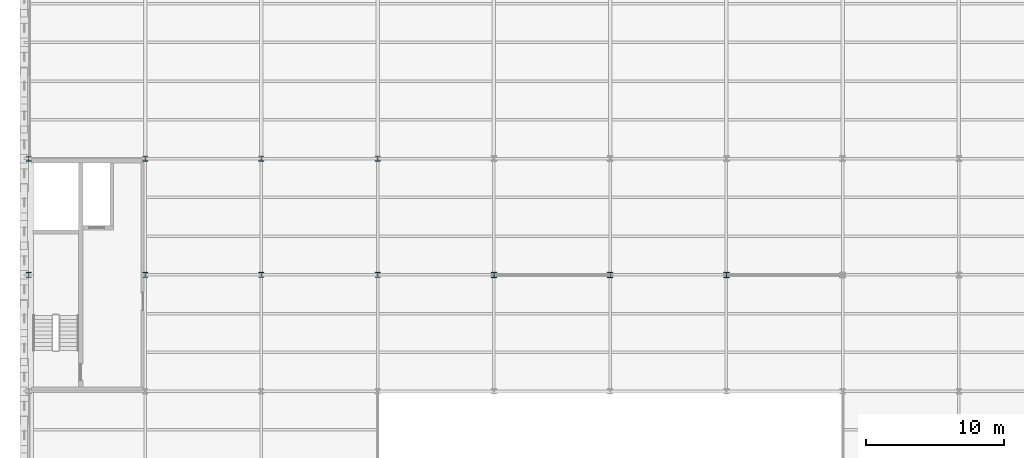
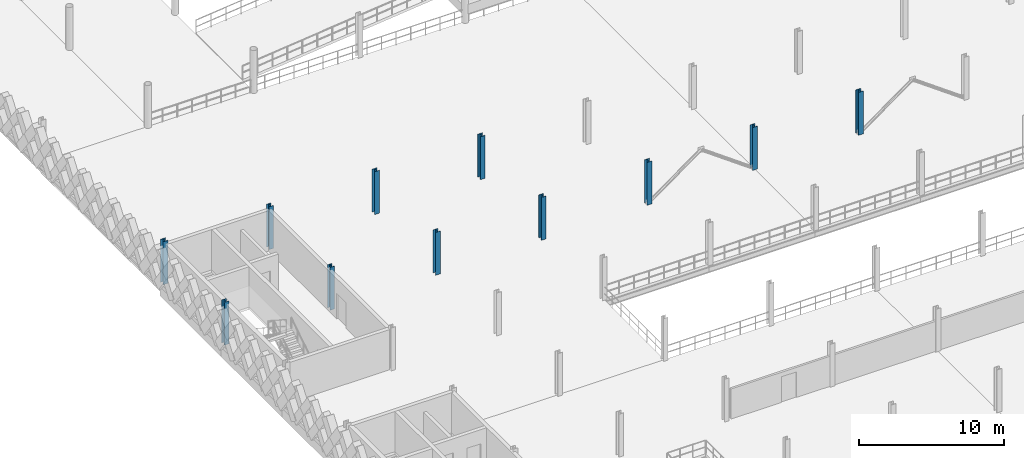
# One storey, part 9 of 101: 11 columns.
"""IFC4 building model written with IfcOpenShell, lengths in metres."""

import ifcopenshell
import ifcopenshell.guid

model = None  # the IFC model being written
_history = None  # IfcOwnerHistory: only IFC2X3 demands one
_inside = {}  # id of a spatial element -> (the spatial element, [elements in it])
_under = {}  # id of a project, library or spatial element -> (it, [spatial elements below it])
_declared = {}  # id of a project -> (the project, [libraries it declares])
_typed = {}  # id of a type object -> (the type object, [elements of that type])
_made_of = {}  # id of a material, layer set ... -> (it, [elements and type objects made of it])


def new_model(schema):
    """Start an empty IFC model of exactly this schema.

    Asked for "IFC4X3", IfcOpenShell would pick the latest addendum, in which some entities
    have other attributes; the version numbers below select the first issue.
    IFC2X3 requires an IfcOwnerHistory on every rooted entity: one is made here for all.
    """
    global model, _history
    if schema == "IFC4X3":
        model = ifcopenshell.file(schema_version=(4, 3, 0, 0))
    else:
        model = ifcopenshell.file(schema=schema)
    _inside.clear()
    _under.clear()
    _declared.clear()
    _typed.clear()
    _made_of.clear()
    _history = None
    if model.schema == "IFC2X3":
        org = make("IfcOrganization", Name="unknown")
        user = make(
            "IfcPersonAndOrganization",
            ThePerson=make("IfcPerson", FamilyName="unknown"),
            TheOrganization=org,
        )
        app = make(
            "IfcApplication",
            ApplicationDeveloper=org,
            Version="unknown",
            ApplicationFullName="unknown",
            ApplicationIdentifier="unknown",
        )
        _history = make(
            "IfcOwnerHistory",
            OwningUser=user,
            OwningApplication=app,
            ChangeAction="ADDED",
            CreationDate=0,
        )
    return model


def make(cls, **values):
    """One entity of the class cls with the attributes given. An attribute that is None is left unset."""
    return model.create_entity(
        cls, **{name: value for name, value in values.items() if value is not None}
    )


def rooted(cls, **values):
    """An entity with a GlobalId (a new one), such as an element, a storey or a relation."""
    return make(cls, GlobalId=ifcopenshell.guid.new(), OwnerHistory=_history, **values)


def si_unit(unit_type, name, prefix=None):
    """IfcSIUnit, for example si_unit("LENGTHUNIT", "METRE", prefix="MILLI")."""
    return make("IfcSIUnit", UnitType=unit_type, Prefix=prefix, Name=name)


def assignment(units):
    """IfcUnitAssignment: the units of a project."""
    return None if units is None else make("IfcUnitAssignment", Units=units)


def point(xyz):
    """IfcCartesianPoint."""
    return None if xyz is None else make("IfcCartesianPoint", Coordinates=xyz)


def direction(xyz):
    """IfcDirection."""
    return None if xyz is None else make("IfcDirection", DirectionRatios=xyz)


def frame(location, z_axis=None, x_axis=None):
    """IfcAxis2Placement3D, a coordinate frame: its origin and axes. An axis left out is left unset."""
    return make(
        "IfcAxis2Placement3D",
        Location=point(location),
        Axis=direction(z_axis),
        RefDirection=direction(x_axis),
    )


def frame_2d(location, x_axis=None):
    """IfcAxis2Placement2D, a coordinate frame in the plane: its origin and x axis."""
    return make(
        "IfcAxis2Placement2D", Location=point(location), RefDirection=direction(x_axis)
    )


def origin():
    """The frame at (0, 0, 0) with its axes left unset."""
    return frame((0.0, 0.0, 0.0))


def origin_2d():
    """The frame at (0, 0) in the plane with its x axis left unset."""
    return frame_2d((0.0, 0.0))


def place(relative_to, where):
    """IfcLocalPlacement: puts the frame where relative to a parent placement (None: the world)."""
    return make(
        "IfcLocalPlacement", PlacementRelTo=relative_to, RelativePlacement=where
    )


def context(
    kind, dimensions, precision=None, world=None, true_north=None, identifier=None
):
    """IfcGeometricRepresentationContext, for example the 3D "Model" context."""
    return make(
        "IfcGeometricRepresentationContext",
        ContextIdentifier=identifier,
        ContextType=kind,
        CoordinateSpaceDimension=dimensions,
        Precision=precision,
        WorldCoordinateSystem=world,
        TrueNorth=true_north,
    )


def subcontext(parent, identifier, kind, view, scale=None):
    """IfcGeometricRepresentationSubContext, for example "Body" below "Model"."""
    return make(
        "IfcGeometricRepresentationSubContext",
        ContextIdentifier=identifier,
        ContextType=kind,
        ParentContext=parent,
        TargetScale=scale,
        TargetView=view,
    )


def project(units=None, contexts=None):
    """IfcProject with its units and contexts."""
    return rooted(
        "IfcProject",
        Name="project",
        RepresentationContexts=contexts,
        UnitsInContext=assignment(units),
    )


def spatial(cls, under=None, at=None, **own):
    """A site, building, storey or space (cls), placed at a placement, below another one or the project."""
    s = rooted(cls, ObjectPlacement=at, **own)
    if under is not None:
        _under.setdefault(under.id(), (under, []))[1].append(s)
    return s


def profile(cls, at=None, kind="AREA", **sizes):
    """A parametric profile (cls). Its sizes go by their IFC names, for example OverallWidth=200.0."""
    return make(cls, ProfileType=kind, Position=at, **sizes)


def i_section(**sizes):
    """IfcIShapeProfileDef."""
    return profile("IfcIShapeProfileDef", **sizes)


def extrude(swept, where, along, depth):
    """IfcExtrudedAreaSolid: the profile swept, set in the frame where, extruded along a direction by depth."""
    return make(
        "IfcExtrudedAreaSolid",
        SweptArea=swept,
        Position=where,
        ExtrudedDirection=direction(along),
        Depth=depth,
    )


def shape(context_of_items, identifier, shape_type, items):
    """IfcShapeRepresentation: the items that make up one representation, for example the "Body"."""
    return make(
        "IfcShapeRepresentation",
        ContextOfItems=context_of_items,
        RepresentationIdentifier=identifier,
        RepresentationType=shape_type,
        Items=items,
    )


def material(Name=None, Category=None):
    """IfcMaterial."""
    return make("IfcMaterial", Name=Name, Category=Category)


def material_profile(
    of_material, cross_section, Name=None, Category=None, Priority=None
):
    """IfcMaterialProfile: a cross section and its material."""
    return make(
        "IfcMaterialProfile",
        Name=Name,
        Material=of_material,
        Profile=cross_section,
        Priority=Priority,
        Category=Category,
    )


def profile_set(profiles, Name=None, composite=None):
    """IfcMaterialProfileSet."""
    return make(
        "IfcMaterialProfileSet",
        Name=Name,
        MaterialProfiles=profiles,
        CompositeProfile=composite,
    )


def made_of(thing, what):
    """Note that an element or type object is made of a material, layer set ...; save() writes the relation."""
    if what is not None:
        _made_of.setdefault(what.id(), (what, []))[1].append(thing)
    return thing


def type_object(cls, material=None, **own):
    """A type object (cls), such as IfcWallType, which elements share."""
    return made_of(rooted(cls, **own), material)


def element(
    cls,
    number,
    at=None,
    inside=None,
    cuts=None,
    type_object=None,
    material=None,
    context=None,
    identifier="Body",
    shape_type=None,
    held_by="IfcProductDefinitionShape",
    body=None,
    shapes=None,
    **own,
):
    """One element of the class cls, such as IfcWall. Its Tag is "e" and its number.

    at: its placement. inside: the storey or other place that contains it. cuts: it is an
    opening in that element (IfcRelVoidsElement). A single representation is given by context,
    identifier, shape_type and body (its items); several are given by shapes. held_by: the class
    of the entity that holds the representations. save() writes the other relations.
    """
    e = rooted(cls, Tag="e%d" % number, ObjectPlacement=at, **own)
    if body is not None:
        shapes = [shape(context, identifier, shape_type, body)]
    if shapes is not None:
        e.Representation = make(held_by, Representations=shapes)
    if inside is not None:
        _inside.setdefault(inside.id(), (inside, []))[1].append(e)
    if cuts is not None:
        rooted(
            "IfcRelVoidsElement", RelatingBuildingElement=cuts, RelatedOpeningElement=e
        )
    if type_object is not None:
        _typed.setdefault(type_object.id(), (type_object, []))[1].append(e)
    return made_of(e, material)


def aggregate(whole, parts):
    """IfcRelAggregates: a whole, such as a stair, and the parts it consists of."""
    return rooted("IfcRelAggregates", RelatingObject=whole, RelatedObjects=parts)


def save(model, path):
    """Write the relations noted so far, then the file.

    IfcRelAggregates (storeys below a building ...), IfcRelContainedInSpatialStructure (elements
    in a storey), IfcRelDefinesByType, IfcRelAssociatesMaterial and IfcRelDeclares: one each for
    every whole, place, type object, material and project.
    """
    for whole, parts in _under.values():
        aggregate(whole, parts)
    for where, things in _inside.values():
        rooted(
            "IfcRelContainedInSpatialStructure",
            RelatedElements=things,
            RelatingStructure=where,
        )
    for kind, things in _typed.values():
        rooted("IfcRelDefinesByType", RelatedObjects=things, RelatingType=kind)
    for what, things in _made_of.values():
        rooted("IfcRelAssociatesMaterial", RelatedObjects=things, RelatingMaterial=what)
    for by, libraries in _declared.values():
        rooted("IfcRelDeclares", RelatingContext=by, RelatedDefinitions=libraries)
    model.write(path)


model = new_model("IFC4")

# Units and contexts
model_context = context("Model", 3, precision=1e-05, world=origin(), true_north=direction((0.0, 1.0)))
body_context = subcontext(model_context, "Body", "Model", "MODEL_VIEW")
ifc_project = project(units=[si_unit("LENGTHUNIT", "METRE"), si_unit("AREAUNIT", "SQUARE_METRE"), si_unit("VOLUMEUNIT", "CUBIC_METRE"), si_unit("PLANEANGLEUNIT", "RADIAN"), si_unit("MASSUNIT", "GRAM", prefix="KILO"), si_unit("THERMODYNAMICTEMPERATUREUNIT", "KELVIN"), si_unit("POWERUNIT", "WATT")], contexts=[model_context])

# Site, building, storey
site_placement = place(None, origin())
site = spatial("IfcSite", under=ifc_project, at=site_placement, CompositionType="ELEMENT")
building_placement = place(site_placement, origin())
building = spatial("IfcBuilding", under=site, at=building_placement, Name="Tembeka Court Mobility Hub", CompositionType="ELEMENT")
storey_placement = place(building_placement, frame((0.0, 0.0, 5.39990234375)))
storey = spatial("IfcBuildingStorey", under=building, at=storey_placement, Name="L01", CompositionType="ELEMENT", Elevation=5.39990234375)

# Columns
ifc_material = material(Name="Steel S355", Category="steel")
ifc_material_profile_1 = material_profile(ifc_material, i_section(OverallWidth=0.39501953125, OverallDepth=0.381103515625, WebThickness=0.018310546875, FlangeThickness=0.0302734375, FilletRadius=0.01513671875, at=origin_2d()), Name="UKC 356x406x235")
ifc_profile_set_1 = profile_set([ifc_material_profile_1], Name="Steel S355")
column_type_1 = type_object("IfcColumnType", Name="COL-C02", PredefinedType="COLUMN", material=ifc_profile_set_1)
for number, where, z_axis, x_axis, name in (
    (1, (33.60009765625, 72.0, 0.0), (0.0, 0.0, 1.0), (1.0, 0.0, 0.0), "Column C02 (L01-054)"),
    (2, (42.0, 72.0, 0.0), (0.0, 0.0, 1.0), (1.0, 0.0, 0.0), "Column C02 (L01-066)"),
    (3, (50.39990234375, 72.0, 0.0), (0.0, 0.0, 1.0), (1.0, 0.0, 0.0), "Column C02 (L01-078)"),
):
    element("IfcColumn", number, at=place(storey_placement, frame(where, z_axis=z_axis, x_axis=x_axis)), inside=storey, type_object=column_type_1, Name=name, PredefinedType="COLUMN", context=body_context, shape_type="SweptSolid", body=[
        extrude(i_section(OverallWidth=0.39501953125, OverallDepth=0.381103515625, WebThickness=0.018310546875, FlangeThickness=0.0302734375, FilletRadius=0.01513671875, at=origin_2d()), origin(), (0.0, 0.0, 1.0), 3.60009765625),
    ])
ifc_material_profile_2 = material_profile(ifc_material, i_section(OverallWidth=0.373046875, OverallDepth=0.367919921875, WebThickness=0.014404296875, FlangeThickness=0.023681640625, FilletRadius=0.01513671875, at=origin_2d()), Name="UKC 356x368x177")
ifc_profile_set_2 = profile_set([ifc_material_profile_2], Name="Steel S355")
column_type_2 = type_object("IfcColumnType", Name="COL-C03", PredefinedType="COLUMN", material=ifc_profile_set_2)
for number, where, z_axis, x_axis, name in (
    (4, (0.0, 72.0, 0.0), (0.0, 0.0, 1.0), (1.0, 0.0, 0.0), "Column C03 (L01-008)"),
    (5, (0.0, 80.39990234375, 0.0), (0.0, 0.0, 1.0), (1.0, 0.0, 0.0), "Column C03 (L01-009)"),
    (6, (8.39990234375, 72.0, 0.0), (0.0, 0.0, 1.0), (1.0, 0.0, 0.0), "Column C03 (L01-020)"),
    (7, (8.39990234375, 80.39990234375, 0.0), (0.0, 0.0, 1.0), (1.0, 0.0, 0.0), "Column C03 (L01-021)"),
    (8, (16.800048828125, 72.0, 0.0), (0.0, 0.0, 1.0), (1.0, 0.0, 0.0), "Column C03 (L01-032)"),
    (9, (16.800048828125, 80.39990234375, 0.0), (0.0, 0.0, 1.0), (1.0, 0.0, 0.0), "Column C03 (L01-033)"),
    (10, (25.199951171875, 72.0, 0.0), (0.0, 0.0, 1.0), (1.0, 0.0, 0.0), "Column C03 (L01-043)"),
    (11, (25.199951171875, 80.39990234375, 0.0), (0.0, 0.0, 1.0), (1.0, 0.0, 0.0), "Column C03 (L01-044)"),
):
    element("IfcColumn", number, at=place(storey_placement, frame(where, z_axis=z_axis, x_axis=x_axis)), inside=storey, type_object=column_type_2, Name=name, PredefinedType="COLUMN", context=body_context, shape_type="SweptSolid", body=[
        extrude(i_section(OverallWidth=0.373046875, OverallDepth=0.367919921875, WebThickness=0.014404296875, FlangeThickness=0.023681640625, FilletRadius=0.01513671875, at=origin_2d()), origin(), (0.0, 0.0, 1.0), 3.60009765625),
    ])

save(model, "model.ifc")
